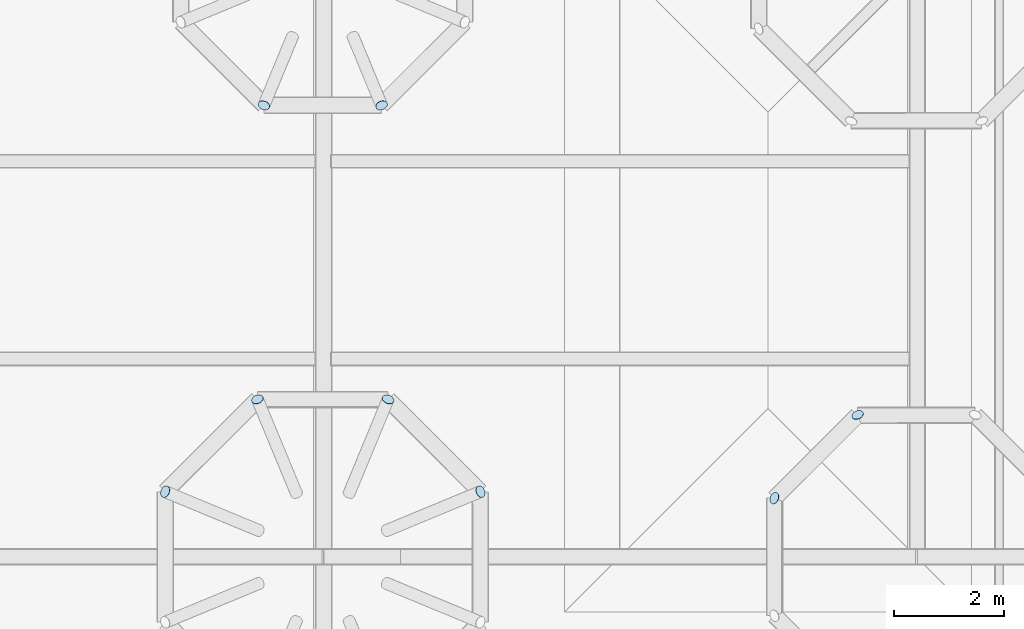
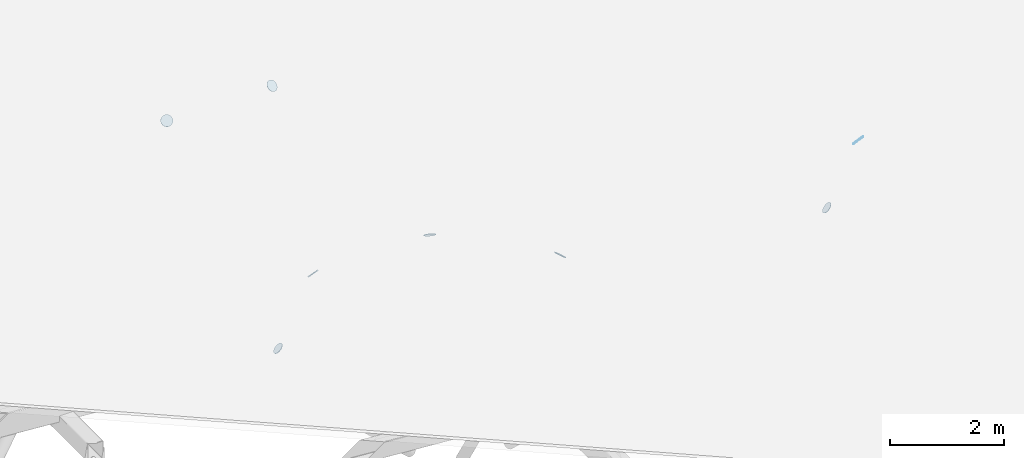
# One storey, part 64 of 95: 8 plates.
"""IFC4 building model written with IfcOpenShell, lengths in metres."""

from ifc_helpers import new_model, si_unit, direction, frame, origin, origin_2d, place, context, subcontext, project, spatial, circle, extrude, material, material_profile, profile_set, type_object, element, save


model = new_model("IFC4")

# Units and contexts
model_context = context("Model", 3, precision=1e-05, world=origin(), true_north=direction((0.0, 1.0)))
body_context = subcontext(model_context, "Body", "Model", "MODEL_VIEW")
ifc_project = project(units=[si_unit("LENGTHUNIT", "METRE"), si_unit("AREAUNIT", "SQUARE_METRE"), si_unit("VOLUMEUNIT", "CUBIC_METRE"), si_unit("PLANEANGLEUNIT", "RADIAN"), si_unit("MASSUNIT", "GRAM", prefix="KILO")], contexts=[model_context])

# Site, building, storey
site_placement = place(None, origin())
site = spatial("IfcSite", under=ifc_project, at=site_placement, CompositionType="ELEMENT")
building_placement = place(site_placement, origin())
building = spatial("IfcBuilding", under=site, at=building_placement, Name="Magnolia Steps Interchange", CompositionType="ELEMENT")
storey_placement = place(building_placement, frame((0.0, 0.0, 4.800048828125)))
storey = spatial("IfcBuildingStorey", under=building, at=storey_placement, Name="L01", CompositionType="ELEMENT", Elevation=4.800048828125)

# Plates
ifc_material = material(Name="Steel Q355B", Category="steel")
ifc_material_profile = material_profile(ifc_material, circle(Radius=0.109619140625, at=origin_2d()), Name="End plate CHS219x10")
ifc_profile_set = profile_set([ifc_material_profile], Name="Steel Q355B")
plate_type = type_object("IfcPlateType", Name="End plate CHS219x10", PredefinedType="SHEET", material=ifc_profile_set)
for number, where, z_axis, x_axis, name in (
    (1, (174.864013671875, 65.186279296875, 1.55615234375), (0.664583318381, 0.275279424158, 0.694658370398), (-0.382683432789, 0.923879532336, 0.0), "End plate Tree rib"),
    (2, (173.186279296875, 66.864013671875, 1.55615234375), (0.275279424158, 0.664583318381, 0.694658370398), (-0.923879532336, 0.382683432789, 0.0), "End plate Tree rib"),
    (3, (170.813720703125, 66.864013671875, 1.55615234375), (-0.275279424158, 0.664583318381, 0.694658370398), (-0.923879532336, -0.382683432789, 0.0), "End plate Tree rib"),
    (4, (169.135986328125, 65.186279296875, 1.55615234375), (-0.664583318381, 0.275279424158, 0.694658370398), (-0.382683432789, -0.923879532336, 0.0), "End plate Tree rib"),
    (5, (170.931396484375, 72.219970703125, 1.55615234375), (-0.275279424158, -0.664583318381, 0.694658370398), (0.923879532336, -0.382683432789, 0.0), "End plate Tree rib"),
    (6, (173.068603515625, 72.219970703125, 1.55615234375), (0.275279424158, -0.664583318381, 0.694658370398), (0.923879532336, 0.382683432789, 0.0), "End plate Tree rib"),
    (7, (181.731201171875, 66.580078125, 0.7685546875), (-0.284874468085, 0.687747805205, 0.667719622199), (-0.923879532665, -0.382683431994, 0.0), "End plate Tree rib"),
    (8, (180.219970703125, 65.068603515625, 0.7685546875), (-0.687747805205, 0.284874468085, 0.667719622199), (-0.382683431994, -0.923879532665, 0.0), "End plate Tree rib"),
):
    element("IfcPlate", number, at=place(storey_placement, frame(where, z_axis=z_axis, x_axis=x_axis)), inside=storey, type_object=plate_type, Name=name, PredefinedType="SHEET", context=body_context, shape_type="SweptSolid", body=[
        extrude(circle(Radius=0.109619140625, at=origin_2d()), origin(), (0.0, 0.0, 1.0), 0.008056640625),
    ])

save(model, "model.ifc")
